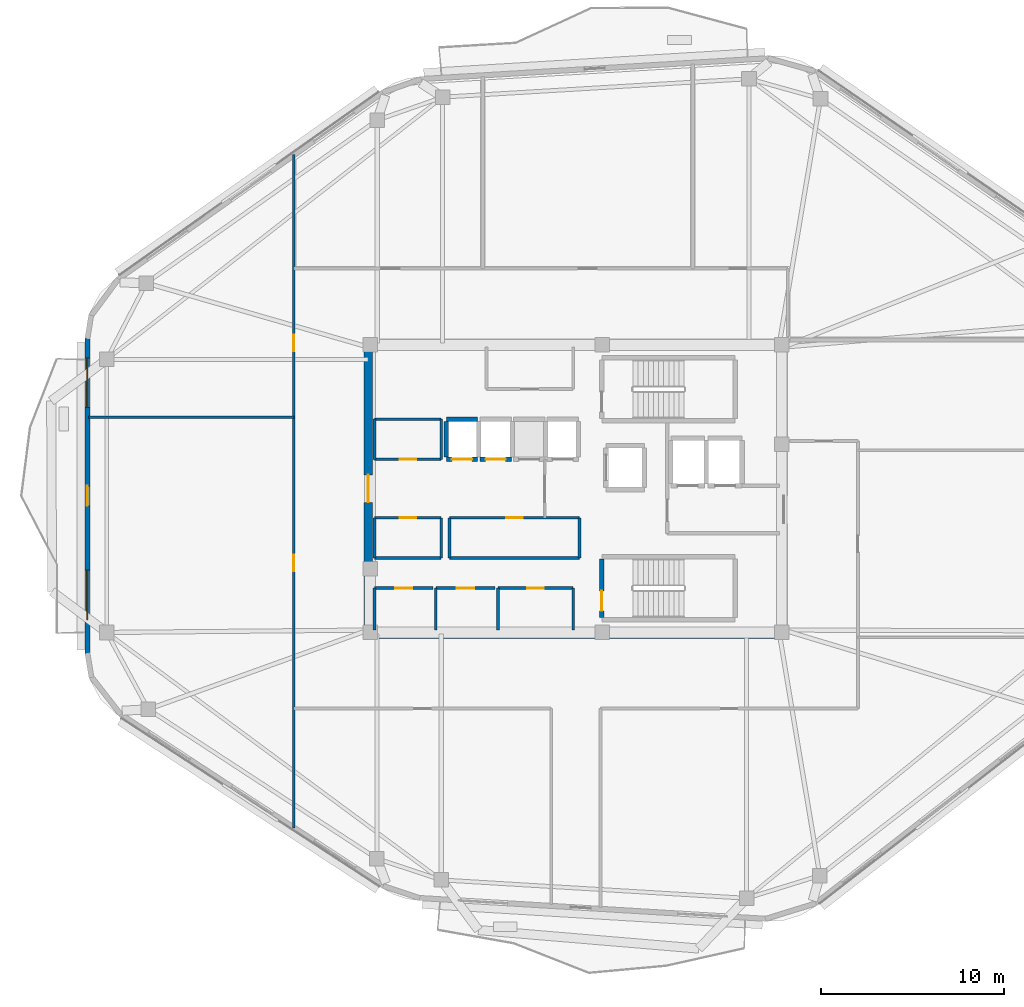
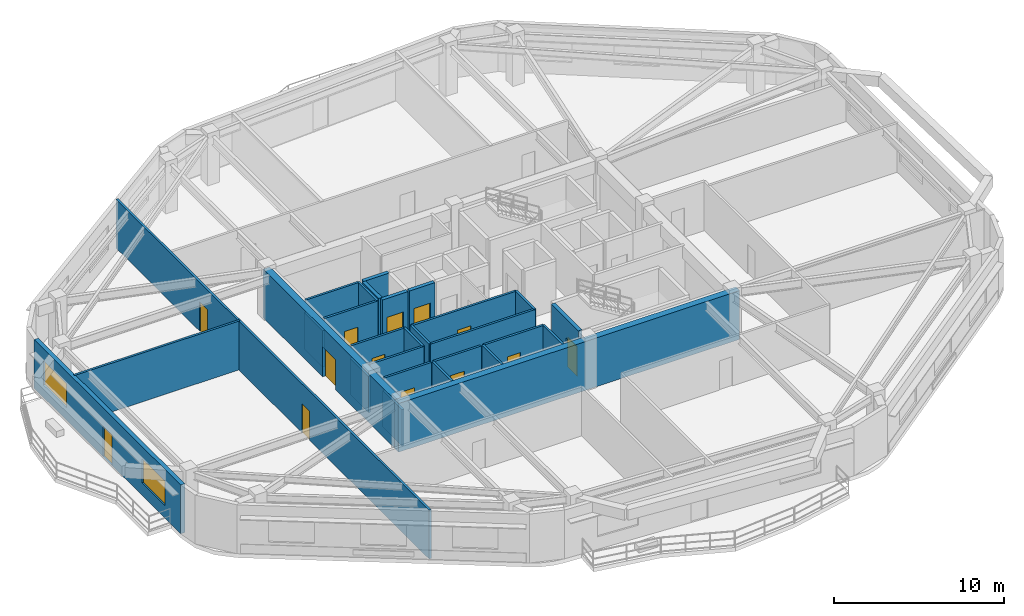
# One storey, part 3 of 10: 29 walls, 13 doors, 2 windows, 15 openings.
"""IFC4 building model written with IfcOpenShell, lengths in metres."""

from ifc_helpers import new_model, si_unit, direction, frame, frame_2d, origin, place, context, subcontext, project, spatial, rectangle, extrude, material, layer, layer_set, type_object, element, fill, save


model = new_model("IFC4")

# Units and contexts
model_context = context("Model", 3, precision=1e-05, world=origin(), true_north=direction((0.0, 1.0)))
body_context = subcontext(model_context, "Body", "Model", "MODEL_VIEW")
ifc_project = project(units=[si_unit("LENGTHUNIT", "METRE"), si_unit("AREAUNIT", "SQUARE_METRE"), si_unit("VOLUMEUNIT", "CUBIC_METRE"), si_unit("PLANEANGLEUNIT", "RADIAN"), si_unit("MASSUNIT", "GRAM", prefix="KILO")], contexts=[model_context])

# Site, building, storey
site_placement = place(None, origin())
site = spatial("IfcSite", under=ifc_project, at=site_placement, CompositionType="ELEMENT")
building_placement = place(site_placement, origin())
building = spatial("IfcBuilding", under=site, at=building_placement, Name="Zulverin Broadcast Headquarters", CompositionType="ELEMENT")
storey_placement = place(building_placement, frame((0.0, 0.0, 236.39990234375)))
storey = spatial("IfcBuildingStorey", under=building, at=storey_placement, Name="L60", CompositionType="ELEMENT", Elevation=236.39990234375)

# Wall
ifc_material_1 = material(Name="Concrete C50/60", Category="concrete")
ifc_layer_1 = layer(ifc_material_1, 0.449951171875, Name="Concrete C50/60", Category="concrete")
ifc_layer_set_1 = layer_set([ifc_layer_1], Name="Concrete C50/60")
wall_type_1 = type_object("IfcWallType", Name="WL-CORE-450", PredefinedType="SHEAR", material=ifc_layer_set_1)
wall_1_placement = place(storey_placement, frame((25.39990234375, 17.22509765625, 0.0), z_axis=(0.0, 0.0, 1.0), x_axis=(1.0, 0.0, 0.0)))
element("IfcWall", 1, at=wall_1_placement, inside=storey, type_object=wall_type_1, Name="L60 Core South Shear Wall", PredefinedType="SHEAR", context=body_context, shape_type="SweptSolid", body=[
    extrude(rectangle(XDim=23.2001953125, YDim=0.449951171875, at=frame_2d((11.60009765625, 0.0))), origin(), (0.0, 0.0, 1.0), 3.510009765625),
])

# Wall, opening, door
wall_2_placement = place(storey_placement, frame((25.625, 17.449951171875, 0.0), z_axis=(0.0, 0.0, 1.0), x_axis=(0.0, 1.0, 0.0)))
wall_2 = element("IfcWall", 2, at=wall_2_placement, inside=storey, type_object=wall_type_1, Name="L60 Core West Shear Wall", PredefinedType="SHEAR", context=body_context, shape_type="SweptSolid", body=[
    extrude(rectangle(XDim=15.5, YDim=0.449951171875, at=frame_2d((7.75, 0.0))), origin(), (0.0, 0.0, 1.0), 3.510009765625),
])
opening_1_placement = place(wall_2_placement, frame((7.0, 0.0, 0.0)))
opening_1 = element("IfcOpeningElement", 3, at=opening_1_placement, cuts=wall_2, Name="Opening D-L60-CW1", PredefinedType="OPENING", context=body_context, shape_type="SweptSolid", body=[
    extrude(rectangle(XDim=1.5, YDim=2.14990234375, at=frame_2d((0.75, 1.074951171875))), frame((0.0, 0.23486328125, 0.0), z_axis=(0.0, -1.0, 0.0), x_axis=(1.0, 0.0, 0.0)), (0.0, 0.0, 1.0), 0.469970703125),
])
ifc_material_2 = material(Name="Fire-rated glazed steel frame", Category="steel")
door_type_1 = type_object("IfcDoorType", Name="DR-COR-1500", OperationType="DOUBLE_DOOR_SINGLE_SWING", PredefinedType="DOOR", material=ifc_material_2)
door_1_placement = place(opening_1_placement, origin())
door_1 = element("IfcDoor", 4, at=door_1_placement, inside=storey, type_object=door_type_1, Name="L60 Central Lift Lobby West Portal Door", OperationType="DOUBLE_DOOR_SINGLE_SWING", OverallHeight=2.14990234375, OverallWidth=1.5, PredefinedType="DOOR", context=body_context, shape_type="SweptSolid", body=[
    extrude(rectangle(XDim=1.5, YDim=2.14990234375, at=frame_2d((0.75, 1.074951171875))), frame((0.0, 0.02490234375, 0.0), z_axis=(0.0, -1.0, 0.0), x_axis=(1.0, 0.0, 0.0)), (0.0, 0.0, 1.0), 0.050048828125),
])
fill(opening_1, door_1)

# Wall, openings, door, windows
ifc_material_3 = material(Name="Insulated pale-metal clad concrete spandrel C40/50", Category="concrete")
ifc_layer_2 = layer(ifc_material_3, 0.280029296875, Name="Insulated pale-metal clad concrete spandrel C40/50", Category="concrete")
ifc_layer_set_2 = layer_set([ifc_layer_2], Name="Insulated pale-metal clad concrete spandrel C40/50")
wall_type_2 = type_object("IfcWallType", Name="WL-EXT-280", PredefinedType="STANDARD", material=ifc_layer_set_2)
wall_3_placement = place(storey_placement, frame((10.239990234375, 33.42529296875, 0.0), z_axis=(0.0, 0.0, 1.0), x_axis=(0.0, -1.0, 0.0)))
wall_3 = element("IfcWall", 5, at=wall_3_placement, inside=storey, type_object=wall_type_2, Name="L60 Pale-Metal Clad Spandrel Wall 7", PredefinedType="STANDARD", context=body_context, shape_type="SweptSolid", body=[
    extrude(rectangle(XDim=17.256591796875, YDim=0.280029296875, at=frame_2d((8.62841796875, 0.0))), origin(), (0.0, 0.0, 1.0), 3.510009765625),
])
opening_2_placement = place(wall_3_placement, frame((8.078369140625, 0.0, 0.0)))
opening_2 = element("IfcOpeningElement", 6, at=opening_2_placement, cuts=wall_3, Name="Opening D-L60-TR7", PredefinedType="OPENING", context=body_context, shape_type="SweptSolid", body=[
    extrude(rectangle(XDim=1.10009765625, YDim=2.199951171875, at=frame_2d((0.550048828125, 1.10009765625))), frame((0.0, 0.14990234375, 0.0), z_axis=(0.0, -1.0, 0.0), x_axis=(1.0, 0.0, 0.0)), (0.0, 0.0, 1.0), 0.300048828125),
])
opening_3_placement = place(wall_3_placement, frame((1.079345703125, 0.0, 0.89990234375)))
opening_3 = element("IfcOpeningElement", 7, at=opening_3_placement, cuts=wall_3, Name="Opening W-L60-E71", PredefinedType="OPENING", context=body_context, shape_type="SweptSolid", body=[
    extrude(rectangle(XDim=2.699951171875, YDim=1.75, at=frame_2d((1.35009765625, 0.875))), frame((0.0, 0.14990234375, 0.0), z_axis=(0.0, -1.0, 0.0), x_axis=(1.0, 0.0, 0.0)), (0.0, 0.0, 1.0), 0.300048828125),
])
opening_4_placement = place(wall_3_placement, frame((12.697265625, 0.0, 0.89990234375)))
opening_4 = element("IfcOpeningElement", 8, at=opening_4_placement, cuts=wall_3, Name="Opening W-L60-E72", PredefinedType="OPENING", context=body_context, shape_type="SweptSolid", body=[
    extrude(rectangle(XDim=2.699951171875, YDim=1.75, at=frame_2d((1.35009765625, 0.875))), frame((0.0, 0.14990234375, 0.0), z_axis=(0.0, -1.0, 0.0), x_axis=(1.0, 0.0, 0.0)), (0.0, 0.0, 1.0), 0.300048828125),
])
ifc_material_4 = material(Name="Thermally broken aluminium glazed", Category="aluminium")
door_type_2 = type_object("IfcDoorType", Name="DR-TERR-1100", OperationType="SINGLE_SWING_RIGHT", PredefinedType="DOOR", material=ifc_material_4)
door_2_placement = place(opening_2_placement, origin())
door_2 = element("IfcDoor", 9, at=door_2_placement, inside=storey, type_object=door_type_2, Name="L60 Planted Terrace Glazed Access Door 7", OperationType="SINGLE_SWING_RIGHT", OverallHeight=2.199951171875, OverallWidth=1.10009765625, PredefinedType="DOOR", context=body_context, shape_type="SweptSolid", body=[
    extrude(rectangle(XDim=1.10009765625, YDim=2.199951171875, at=frame_2d((0.550048828125, 1.10009765625))), frame((0.0, 0.02490234375, 0.0), z_axis=(0.0, -1.0, 0.0), x_axis=(1.0, 0.0, 0.0)), (0.0, 0.0, 1.0), 0.050048828125),
])
fill(opening_2, door_2)
ifc_material_5 = material(Name="Pale anodized aluminium frame with solar-control low-E double glazing", Category="aluminium")
window_type = type_object("IfcWindowType", Name="WIN-TWR-2700", PartitioningType="SINGLE_PANEL", PredefinedType="WINDOW", material=ifc_material_5)
window_1_placement = place(opening_3_placement, origin())
window_1 = element("IfcWindow", 10, at=window_1_placement, inside=storey, type_object=window_type, Name="L60 Ribbon Glazing Window 7 1", OverallHeight=1.75, OverallWidth=2.699951171875, PartitioningType="SINGLE_PANEL", PredefinedType="WINDOW", context=body_context, shape_type="SweptSolid", body=[
    extrude(rectangle(XDim=2.699951171875, YDim=1.75, at=frame_2d((1.35009765625, 0.875))), frame((0.0, 0.030029296875, 0.0), z_axis=(0.0, -1.0, 0.0), x_axis=(1.0, 0.0, 0.0)), (0.0, 0.0, 1.0), 0.06005859375),
])
fill(opening_3, window_1)
window_2_placement = place(opening_4_placement, origin())
window_2 = element("IfcWindow", 11, at=window_2_placement, inside=storey, type_object=window_type, Name="L60 Ribbon Glazing Window 7 2", OverallHeight=1.75, OverallWidth=2.699951171875, PartitioningType="SINGLE_PANEL", PredefinedType="WINDOW", context=body_context, shape_type="SweptSolid", body=[
    extrude(rectangle(XDim=2.699951171875, YDim=1.75, at=frame_2d((1.35009765625, 0.875))), frame((0.0, 0.030029296875, 0.0), z_axis=(0.0, -1.0, 0.0), x_axis=(1.0, 0.0, 0.0)), (0.0, 0.0, 1.0), 0.06005859375),
])
fill(opening_4, window_2)

# Wall, opening, door
ifc_material_6 = material(Name="Fire-rated gypsum stud partition", Category="gypsum")
ifc_layer_3 = layer(ifc_material_6, 0.14990234375, Name="Fire-rated gypsum stud partition", Category="gypsum")
ifc_layer_set_3 = layer_set([ifc_layer_3], Name="Fire-rated gypsum stud partition")
wall_type_3 = type_object("IfcWallType", Name="WL-PART-150", PredefinedType="PARTITIONING", material=ifc_layer_set_3)
wall_4_placement = place(storey_placement, frame((25.969970703125, 19.75, 0.0), z_axis=(0.0, 0.0, 1.0), x_axis=(1.0, 0.0, 0.0)))
wall_4 = element("IfcWall", 12, at=wall_4_placement, inside=storey, type_object=wall_type_3, Name="L60 Core Male WC Front Wall", PredefinedType="PARTITIONING", context=body_context, shape_type="SweptSolid", body=[
    extrude(rectangle(XDim=3.199951171875, YDim=0.14990234375, at=frame_2d((1.60009765625, 0.0))), origin(), (0.0, 0.0, 1.0), 3.510009765625),
])
opening_5_placement = place(wall_4_placement, frame((1.125, 0.0, 0.0)))
opening_5 = element("IfcOpeningElement", 13, at=opening_5_placement, cuts=wall_4, Name="Opening D-L60-SC1", PredefinedType="OPENING", context=body_context, shape_type="SweptSolid", body=[
    extrude(rectangle(XDim=0.949951171875, YDim=2.10009765625, at=frame_2d((0.47509765625, 1.050048828125))), frame((0.0, 0.0849609375, 0.0), z_axis=(0.0, -1.0, 0.0), x_axis=(1.0, 0.0, 0.0)), (0.0, 0.0, 1.0), 0.169921875),
])
ifc_material_7 = material(Name="Fire-rated moisture-resistant laminate leaf", Category="wood")
door_type_3 = type_object("IfcDoorType", Name="DR-WC-950", OperationType="SINGLE_SWING_LEFT", PredefinedType="DOOR", material=ifc_material_7)
door_3_placement = place(opening_5_placement, origin())
door_3 = element("IfcDoor", 14, at=door_3_placement, inside=storey, type_object=door_type_3, Name="L60 Male WC Door", OperationType="SINGLE_SWING_RIGHT", OverallHeight=2.10009765625, OverallWidth=0.949951171875, PredefinedType="DOOR", context=body_context, shape_type="SweptSolid", body=[
    extrude(rectangle(XDim=0.949951171875, YDim=2.10009765625, at=frame_2d((0.47509765625, 1.050048828125))), frame((0.0, 0.02490234375, 0.0), z_axis=(0.0, -1.0, 0.0), x_axis=(1.0, 0.0, 0.0)), (0.0, 0.0, 1.0), 0.050048828125),
])
fill(opening_5, door_3)

# Wall
wall_5_placement = place(storey_placement, frame((25.969970703125, 17.449951171875, 0.0), z_axis=(0.0, 0.0, 1.0), x_axis=(0.0, 1.0, 0.0)))
element("IfcWall", 15, at=wall_5_placement, inside=storey, type_object=wall_type_3, Name="L60 Core Male WC West Wall", PredefinedType="PARTITIONING", context=body_context, shape_type="SweptSolid", body=[
    extrude(rectangle(XDim=2.300048828125, YDim=0.14990234375, at=frame_2d((1.14990234375, 0.0))), origin(), (0.0, 0.0, 1.0), 2.610107421875),
])

# Wall, opening, door
wall_6_placement = place(storey_placement, frame((29.330078125, 19.75, 0.0), z_axis=(0.0, 0.0, 1.0), x_axis=(1.0, 0.0, 0.0)))
wall_6 = element("IfcWall", 16, at=wall_6_placement, inside=storey, type_object=wall_type_3, Name="L60 Core Female WC Front Wall", PredefinedType="PARTITIONING", context=body_context, shape_type="SweptSolid", body=[
    extrude(rectangle(XDim=3.239990234375, YDim=0.14990234375, at=frame_2d((1.6201171875, 0.0))), origin(), (0.0, 0.0, 1.0), 3.510009765625),
])
opening_6_placement = place(wall_6_placement, frame((1.14501953125, 0.0, 0.0)))
opening_6 = element("IfcOpeningElement", 17, at=opening_6_placement, cuts=wall_6, Name="Opening D-L60-SC2", PredefinedType="OPENING", context=body_context, shape_type="SweptSolid", body=[
    extrude(rectangle(XDim=0.949951171875, YDim=2.10009765625, at=frame_2d((0.47509765625, 1.050048828125))), frame((0.0, 0.0849609375, 0.0), z_axis=(0.0, -1.0, 0.0), x_axis=(1.0, 0.0, 0.0)), (0.0, 0.0, 1.0), 0.169921875),
])
door_4_placement = place(opening_6_placement, origin())
door_4 = element("IfcDoor", 18, at=door_4_placement, inside=storey, type_object=door_type_3, Name="L60 Female WC Door", OperationType="SINGLE_SWING_LEFT", OverallHeight=2.10009765625, OverallWidth=0.949951171875, PredefinedType="DOOR", context=body_context, shape_type="SweptSolid", body=[
    extrude(rectangle(XDim=0.949951171875, YDim=2.10009765625, at=frame_2d((0.47509765625, 1.050048828125))), frame((0.0, 0.02490234375, 0.0), z_axis=(0.0, -1.0, 0.0), x_axis=(1.0, 0.0, 0.0)), (0.0, 0.0, 1.0), 0.050048828125),
])
fill(opening_6, door_4)

# Wall
wall_7_placement = place(storey_placement, frame((29.330078125, 17.449951171875, 0.0), z_axis=(0.0, 0.0, 1.0), x_axis=(0.0, 1.0, 0.0)))
element("IfcWall", 19, at=wall_7_placement, inside=storey, type_object=wall_type_3, Name="L60 Core Female WC West Wall", PredefinedType="PARTITIONING", context=body_context, shape_type="SweptSolid", body=[
    extrude(rectangle(XDim=2.300048828125, YDim=0.14990234375, at=frame_2d((1.14990234375, 0.0))), origin(), (0.0, 0.0, 1.0), 3.510009765625),
])

# Wall, opening, door
wall_8_placement = place(storey_placement, frame((32.72998046875, 19.75, 0.0), z_axis=(0.0, 0.0, 1.0), x_axis=(1.0, 0.0, 0.0)))
wall_8 = element("IfcWall", 20, at=wall_8_placement, inside=storey, type_object=wall_type_3, Name="L60 Core Cleaner Store Front Wall", PredefinedType="PARTITIONING", context=body_context, shape_type="SweptSolid", body=[
    extrude(rectangle(XDim=4.1201171875, YDim=0.14990234375, at=frame_2d((2.06005859375, 0.0))), origin(), (0.0, 0.0, 1.0), 3.510009765625),
])
opening_7_placement = place(wall_8_placement, frame((1.610107421875, 0.0, 0.0)))
opening_7 = element("IfcOpeningElement", 21, at=opening_7_placement, cuts=wall_8, Name="Opening D-L60-SC3", PredefinedType="OPENING", context=body_context, shape_type="SweptSolid", body=[
    extrude(rectangle(XDim=0.89990234375, YDim=2.10009765625, at=frame_2d((0.449951171875, 1.050048828125))), frame((0.0, 0.0849609375, 0.0), z_axis=(0.0, -1.0, 0.0), x_axis=(1.0, 0.0, 0.0)), (0.0, 0.0, 1.0), 0.169921875),
])
ifc_material_8 = material(Name="Powder-coated steel access leaf", Category="steel")
door_type_4 = type_object("IfcDoorType", Name="DR-RISER-900", OperationType="SINGLE_SWING_LEFT", PredefinedType="DOOR", material=ifc_material_8)
door_5_placement = place(opening_7_placement, origin())
door_5 = element("IfcDoor", 22, at=door_5_placement, inside=storey, type_object=door_type_4, Name="L60 Cleaner Store Door", OperationType="SINGLE_SWING_RIGHT", OverallHeight=2.10009765625, OverallWidth=0.89990234375, PredefinedType="DOOR", context=body_context, shape_type="SweptSolid", body=[
    extrude(rectangle(XDim=0.89990234375, YDim=2.10009765625, at=frame_2d((0.449951171875, 1.050048828125))), frame((0.0, 0.02490234375, 0.0), z_axis=(0.0, -1.0, 0.0), x_axis=(1.0, 0.0, 0.0)), (0.0, 0.0, 1.0), 0.050048828125),
])
fill(opening_7, door_5)

# Walls
for number, where, z_axis, x_axis, name in (
    (23, (32.72998046875, 17.449951171875, 0.0), (0.0, 0.0, 1.0), (0.0, 1.0, 0.0), "L60 Core Cleaner Store West Wall"),
    (24, (36.85009765625, 17.449951171875, 0.0), (0.0, 0.0, 1.0), (0.0, 1.0, 0.0), "L60 Core Cleaner Store East Wall"),
):
    element("IfcWall", number, at=place(storey_placement, frame(where, z_axis=z_axis, x_axis=x_axis)), inside=storey, type_object=wall_type_3, Name=name, PredefinedType="PARTITIONING", context=body_context, shape_type="SweptSolid", body=[
        extrude(rectangle(XDim=2.300048828125, YDim=0.14990234375, at=frame_2d((1.14990234375, 0.0))), origin(), (0.0, 0.0, 1.0), 3.510009765625),
    ])

# Wall, opening, door
wall_9_placement = place(storey_placement, frame((25.969970703125, 26.800048828125, 0.0), z_axis=(0.0, 0.0, 1.0), x_axis=(1.0, 0.0, 0.0)))
wall_9 = element("IfcWall", 25, at=wall_9_placement, inside=storey, type_object=wall_type_3, Name="L60 Broadcast Signal Patch Room S Wall", PredefinedType="PARTITIONING", context=body_context, shape_type="SweptSolid", body=[
    extrude(rectangle(XDim=3.650146484375, YDim=0.14990234375, at=frame_2d((1.8251953125, 0.0))), origin(), (0.0, 0.0, 1.0), 3.510009765625),
])
opening_8_placement = place(wall_9_placement, frame((1.375, 0.0, 0.0)))
opening_8 = element("IfcOpeningElement", 26, at=opening_8_placement, cuts=wall_9, Name="Opening D-L60-RCLN", PredefinedType="OPENING", context=body_context, shape_type="SweptSolid", body=[
    extrude(rectangle(XDim=0.89990234375, YDim=2.10009765625, at=frame_2d((0.449951171875, 1.050048828125))), frame((0.0, 0.0849609375, 0.0), z_axis=(0.0, -1.0, 0.0), x_axis=(1.0, 0.0, 0.0)), (0.0, 0.0, 1.0), 0.169921875),
])
door_6_placement = place(opening_8_placement, origin())
door_6 = element("IfcDoor", 27, at=door_6_placement, inside=storey, type_object=door_type_4, Name="L60 Broadcast Signal Patch Room Door", OperationType="SINGLE_SWING_LEFT", OverallHeight=2.10009765625, OverallWidth=0.89990234375, PredefinedType="DOOR", context=body_context, shape_type="SweptSolid", body=[
    extrude(rectangle(XDim=0.89990234375, YDim=2.10009765625, at=frame_2d((0.449951171875, 1.050048828125))), frame((0.0, 0.02490234375, 0.0), z_axis=(0.0, -1.0, 0.0), x_axis=(1.0, 0.0, 0.0)), (0.0, 0.0, 1.0), 0.050048828125),
])
fill(opening_8, door_6)

# Walls
wall_10_placement = place(storey_placement, frame((25.969970703125, 29.0, 0.0), z_axis=(0.0, 0.0, 1.0), x_axis=(1.0, 0.0, 0.0)))
element("IfcWall", 28, at=wall_10_placement, inside=storey, type_object=wall_type_3, Name="L60 Broadcast Signal Patch Room N Wall", PredefinedType="PARTITIONING", context=body_context, shape_type="SweptSolid", body=[
    extrude(rectangle(XDim=3.650146484375, YDim=0.14990234375, at=frame_2d((1.8251953125, 0.0))), origin(), (0.0, 0.0, 1.0), 3.510009765625),
])
wall_11_placement = place(storey_placement, frame((25.969970703125, 26.800048828125, 0.0), z_axis=(0.0, 0.0, 1.0), x_axis=(0.0, 1.0, 0.0)))
element("IfcWall", 29, at=wall_11_placement, inside=storey, type_object=wall_type_3, Name="L60 Broadcast Signal Patch Room W Wall", PredefinedType="PARTITIONING", context=body_context, shape_type="SweptSolid", body=[
    extrude(rectangle(XDim=2.199951171875, YDim=0.14990234375, at=frame_2d((1.10009765625, 0.0))), origin(), (0.0, 0.0, 1.0), 2.610107421875),
])
wall_12_placement = place(storey_placement, frame((29.6201171875, 26.800048828125, 0.0), z_axis=(0.0, 0.0, 1.0), x_axis=(0.0, 1.0, 0.0)))
element("IfcWall", 30, at=wall_12_placement, inside=storey, type_object=wall_type_3, Name="L60 Broadcast Signal Patch Room E Wall", PredefinedType="PARTITIONING", context=body_context, shape_type="SweptSolid", body=[
    extrude(rectangle(XDim=2.199951171875, YDim=0.14990234375, at=frame_2d((1.10009765625, 0.0))), origin(), (0.0, 0.0, 1.0), 3.510009765625),
])
wall_13_placement = place(storey_placement, frame((25.969970703125, 21.39990234375, 0.0), z_axis=(0.0, 0.0, 1.0), x_axis=(1.0, 0.0, 0.0)))
element("IfcWall", 31, at=wall_13_placement, inside=storey, type_object=wall_type_3, Name="L60 Housekeeping Equipment Store S Wall", PredefinedType="PARTITIONING", context=body_context, shape_type="SweptSolid", body=[
    extrude(rectangle(XDim=3.650146484375, YDim=0.14990234375, at=frame_2d((1.8251953125, 0.0))), origin(), (0.0, 0.0, 1.0), 3.510009765625),
])

# Wall, opening, door
wall_14_placement = place(storey_placement, frame((25.969970703125, 23.60009765625, 0.0), z_axis=(0.0, 0.0, 1.0), x_axis=(1.0, 0.0, 0.0)))
wall_14 = element("IfcWall", 32, at=wall_14_placement, inside=storey, type_object=wall_type_3, Name="L60 Housekeeping Equipment Store N Wall", PredefinedType="PARTITIONING", context=body_context, shape_type="SweptSolid", body=[
    extrude(rectangle(XDim=3.650146484375, YDim=0.14990234375, at=frame_2d((1.8251953125, 0.0))), origin(), (0.0, 0.0, 1.0), 3.510009765625),
])
opening_9_placement = place(wall_14_placement, frame((1.375, 0.0, 0.0)))
opening_9 = element("IfcOpeningElement", 33, at=opening_9_placement, cuts=wall_14, Name="Opening D-L60-RCLS", PredefinedType="OPENING", context=body_context, shape_type="SweptSolid", body=[
    extrude(rectangle(XDim=0.89990234375, YDim=2.10009765625, at=frame_2d((0.449951171875, 1.050048828125))), frame((0.0, 0.0849609375, 0.0), z_axis=(0.0, -1.0, 0.0), x_axis=(1.0, 0.0, 0.0)), (0.0, 0.0, 1.0), 0.169921875),
])
door_7_placement = place(opening_9_placement, origin())
door_7 = element("IfcDoor", 34, at=door_7_placement, inside=storey, type_object=door_type_4, Name="L60 Housekeeping Equipment Store Door", OperationType="SINGLE_SWING_RIGHT", OverallHeight=2.10009765625, OverallWidth=0.89990234375, PredefinedType="DOOR", context=body_context, shape_type="SweptSolid", body=[
    extrude(rectangle(XDim=0.89990234375, YDim=2.10009765625, at=frame_2d((0.449951171875, 1.050048828125))), frame((0.0, 0.02490234375, 0.0), z_axis=(0.0, -1.0, 0.0), x_axis=(1.0, 0.0, 0.0)), (0.0, 0.0, 1.0), 0.050048828125),
])
fill(opening_9, door_7)

# Walls
wall_15_placement = place(storey_placement, frame((25.969970703125, 21.39990234375, 0.0), z_axis=(0.0, 0.0, 1.0), x_axis=(0.0, 1.0, 0.0)))
element("IfcWall", 35, at=wall_15_placement, inside=storey, type_object=wall_type_3, Name="L60 Housekeeping Equipment Store W Wall", PredefinedType="PARTITIONING", context=body_context, shape_type="SweptSolid", body=[
    extrude(rectangle(XDim=2.2001953125, YDim=0.14990234375, at=frame_2d((1.10009765625, 0.0))), origin(), (0.0, 0.0, 1.0), 2.610107421875),
])
wall_16_placement = place(storey_placement, frame((29.6201171875, 21.39990234375, 0.0), z_axis=(0.0, 0.0, 1.0), x_axis=(0.0, 1.0, 0.0)))
element("IfcWall", 36, at=wall_16_placement, inside=storey, type_object=wall_type_3, Name="L60 Housekeeping Equipment Store E Wall", PredefinedType="PARTITIONING", context=body_context, shape_type="SweptSolid", body=[
    extrude(rectangle(XDim=2.2001953125, YDim=0.14990234375, at=frame_2d((1.10009765625, 0.0))), origin(), (0.0, 0.0, 1.0), 3.510009765625),
])
wall_17_placement = place(storey_placement, frame((30.080078125, 21.39990234375, 0.0), z_axis=(0.0, 0.0, 1.0), x_axis=(1.0, 0.0, 0.0)))
element("IfcWall", 37, at=wall_17_placement, inside=storey, type_object=wall_type_3, Name="L60 Optical Telemetry Hub Room S Wall", PredefinedType="PARTITIONING", context=body_context, shape_type="SweptSolid", body=[
    extrude(rectangle(XDim=7.119873046875, YDim=0.14990234375, at=frame_2d((3.56005859375, 0.0))), origin(), (0.0, 0.0, 1.0), 3.510009765625),
])

# Wall, opening, door
wall_18_placement = place(storey_placement, frame((30.080078125, 23.60009765625, 0.0), z_axis=(0.0, 0.0, 1.0), x_axis=(1.0, 0.0, 0.0)))
wall_18 = element("IfcWall", 38, at=wall_18_placement, inside=storey, type_object=wall_type_3, Name="L60 Optical Telemetry Hub Room N Wall", PredefinedType="PARTITIONING", context=body_context, shape_type="SweptSolid", body=[
    extrude(rectangle(XDim=7.119873046875, YDim=0.14990234375, at=frame_2d((3.56005859375, 0.0))), origin(), (0.0, 0.0, 1.0), 3.510009765625),
])
opening_10_placement = place(wall_18_placement, frame((3.110107421875, 0.0, 0.0)))
opening_10 = element("IfcOpeningElement", 39, at=opening_10_placement, cuts=wall_18, Name="Opening D-L60-RM1", PredefinedType="OPENING", context=body_context, shape_type="SweptSolid", body=[
    extrude(rectangle(XDim=0.89990234375, YDim=2.10009765625, at=frame_2d((0.449951171875, 1.050048828125))), frame((0.0, 0.0849609375, 0.0), z_axis=(0.0, -1.0, 0.0), x_axis=(1.0, 0.0, 0.0)), (0.0, 0.0, 1.0), 0.169921875),
])
door_8_placement = place(opening_10_placement, origin())
door_8 = element("IfcDoor", 40, at=door_8_placement, inside=storey, type_object=door_type_4, Name="L60 Optical Telemetry Hub Room Door", OperationType="SINGLE_SWING_LEFT", OverallHeight=2.10009765625, OverallWidth=0.89990234375, PredefinedType="DOOR", context=body_context, shape_type="SweptSolid", body=[
    extrude(rectangle(XDim=0.89990234375, YDim=2.10009765625, at=frame_2d((0.449951171875, 1.050048828125))), frame((0.0, 0.02490234375, 0.0), z_axis=(0.0, -1.0, 0.0), x_axis=(1.0, 0.0, 0.0)), (0.0, 0.0, 1.0), 0.050048828125),
])
fill(opening_10, door_8)

# Walls
for number, where, z_axis, x_axis, name in (
    (41, (30.080078125, 21.39990234375, 0.0), (0.0, 0.0, 1.0), (0.0, 1.0, 0.0), "L60 Optical Telemetry Hub Room W Wall"),
    (42, (37.199951171875, 21.39990234375, 0.0), (0.0, 0.0, 1.0), (0.0, 1.0, 0.0), "L60 Optical Telemetry Hub Room E Wall"),
):
    element("IfcWall", number, at=place(storey_placement, frame(where, z_axis=z_axis, x_axis=x_axis)), inside=storey, type_object=wall_type_3, Name=name, PredefinedType="PARTITIONING", context=body_context, shape_type="SweptSolid", body=[
        extrude(rectangle(XDim=2.2001953125, YDim=0.14990234375, at=frame_2d((1.10009765625, 0.0))), origin(), (0.0, 0.0, 1.0), 3.510009765625),
    ])

# Wall, openings, doors
wall_19_placement = place(storey_placement, frame((21.550048828125, 6.60791015625, 0.0), z_axis=(0.0, 0.0, 1.0), x_axis=(0.0, 1.0, 0.0)))
wall_19 = element("IfcWall", 43, at=wall_19_placement, inside=storey, type_object=wall_type_3, Name="L60 Gallery Partition Wall CG-07", PredefinedType="PARTITIONING", context=body_context, shape_type="SweptSolid", body=[
    extrude(rectangle(XDim=36.8828125, YDim=0.14990234375, at=frame_2d((18.44140625, 0.0))), origin(), (0.0, 0.0, 1.0), 3.510009765625),
])
opening_11_placement = place(wall_19_placement, frame((14.067138671875, 0.0, 0.0)))
opening_11 = element("IfcOpeningElement", 44, at=opening_11_placement, cuts=wall_19, Name="Opening D-L60-06", PredefinedType="OPENING", context=body_context, shape_type="SweptSolid", body=[
    extrude(rectangle(XDim=0.89990234375, YDim=2.10009765625, at=frame_2d((0.449951171875, 1.050048828125))), frame((0.0, 0.0849609375, 0.0), z_axis=(0.0, -1.0, 0.0), x_axis=(1.0, 0.0, 0.0)), (0.0, 0.0, 1.0), 0.169921875),
])
opening_12_placement = place(wall_19_placement, frame((26.1171875, 0.0, 0.0)))
opening_12 = element("IfcOpeningElement", 45, at=opening_12_placement, cuts=wall_19, Name="Opening D-L60-07", PredefinedType="OPENING", context=body_context, shape_type="SweptSolid", body=[
    extrude(rectangle(XDim=0.89990234375, YDim=2.10009765625, at=frame_2d((0.449951171875, 1.050048828125))), frame((0.0, 0.0849609375, 0.0), z_axis=(0.0, -1.0, 0.0), x_axis=(1.0, 0.0, 0.0)), (0.0, 0.0, 1.0), 0.169921875),
])
ifc_material_9 = material(Name="Fire-rated hardwood veneer timber leaf", Category="wood")
door_type_5 = type_object("IfcDoorType", Name="DR-ROOM-900", OperationType="SINGLE_SWING_RIGHT", PredefinedType="DOOR", material=ifc_material_9)
door_9_placement = place(opening_11_placement, origin())
door_9 = element("IfcDoor", 46, at=door_9_placement, inside=storey, type_object=door_type_5, Name="L60 Boardroom Door", OperationType="SINGLE_SWING_RIGHT", OverallHeight=2.10009765625, OverallWidth=0.89990234375, PredefinedType="DOOR", context=body_context, shape_type="SweptSolid", body=[
    extrude(rectangle(XDim=0.89990234375, YDim=2.10009765625, at=frame_2d((0.449951171875, 1.050048828125))), frame((0.0, 0.02490234375, 0.0), z_axis=(0.0, -1.0, 0.0), x_axis=(1.0, 0.0, 0.0)), (0.0, 0.0, 1.0), 0.050048828125),
])
fill(opening_11, door_9)
door_10_placement = place(opening_12_placement, origin())
door_10 = element("IfcDoor", 47, at=door_10_placement, inside=storey, type_object=door_type_5, Name="L60 Briefing Room Door", OperationType="SINGLE_SWING_LEFT", OverallHeight=2.10009765625, OverallWidth=0.89990234375, PredefinedType="DOOR", context=body_context, shape_type="SweptSolid", body=[
    extrude(rectangle(XDim=0.89990234375, YDim=2.10009765625, at=frame_2d((0.449951171875, 1.050048828125))), frame((0.0, 0.02490234375, 0.0), z_axis=(0.0, -1.0, 0.0), x_axis=(1.0, 0.0, 0.0)), (0.0, 0.0, 1.0), 0.050048828125),
])
fill(opening_12, door_10)

# Wall
wall_20_placement = place(storey_placement, frame((10.304931640625, 29.10009765625, 0.0), z_axis=(0.0, 0.0, 1.0), x_axis=(1.0, 0.0, 0.0)))
element("IfcWall", 48, at=wall_20_placement, inside=storey, type_object=wall_type_3, Name="L60 Room Partition Wall RP-13", PredefinedType="PARTITIONING", context=body_context, shape_type="SweptSolid", body=[
    extrude(rectangle(XDim=11.2451171875, YDim=0.14990234375, at=frame_2d((5.62255859375, 0.0))), origin(), (0.0, 0.0, 1.0), 3.510009765625),
])

# Wall, opening, door
ifc_layer_4 = layer(ifc_material_1, 0.25, Name="Concrete C50/60", Category="concrete")
ifc_layer_set_4 = layer_set([ifc_layer_4], Name="Concrete C50/60")
wall_type_4 = type_object("IfcWallType", Name="WL-SHAFT-250", PredefinedType="SHEAR", material=ifc_layer_set_4)
wall_21_placement = place(storey_placement, frame((38.425048828125, 18.14990234375, 0.0), z_axis=(0.0, 0.0, 1.0), x_axis=(0.0, 1.0, 0.0)))
wall_21 = element("IfcWall", 49, at=wall_21_placement, inside=storey, type_object=wall_type_4, Name="L60 ST-2 Enclosure Wall W", PredefinedType="SHEAR", context=body_context, shape_type="SweptSolid", body=[
    extrude(rectangle(XDim=3.2001953125, YDim=0.25, at=frame_2d((1.60009765625, 0.0))), origin(), (0.0, 0.0, 1.0), 3.510009765625),
])
opening_13_placement = place(wall_21_placement, frame((0.35009765625, 0.0, 0.0)))
opening_13 = element("IfcOpeningElement", 50, at=opening_13_placement, cuts=wall_21, Name="Opening D-L60-ST-2", PredefinedType="OPENING", context=body_context, shape_type="SweptSolid", body=[
    extrude(rectangle(XDim=1.10009765625, YDim=2.14990234375, at=frame_2d((0.550048828125, 1.074951171875))), frame((0.0, 0.135009765625, 0.0), z_axis=(0.0, -1.0, 0.0), x_axis=(1.0, 0.0, 0.0)), (0.0, 0.0, 1.0), 0.27001953125),
])
ifc_material_10 = material(Name="Fire-rated steel leaf and frame", Category="steel")
door_type_6 = type_object("IfcDoorType", Name="DR-STAIR-1100", OperationType="SINGLE_SWING_LEFT", PredefinedType="DOOR", material=ifc_material_10)
door_11_placement = place(opening_13_placement, origin())
door_11 = element("IfcDoor", 51, at=door_11_placement, inside=storey, type_object=door_type_6, Name="L60 Exit Stair ST-2 Fire Door", OperationType="SINGLE_SWING_RIGHT", OverallHeight=2.14990234375, OverallWidth=1.10009765625, PredefinedType="DOOR", context=body_context, shape_type="SweptSolid", body=[
    extrude(rectangle(XDim=1.10009765625, YDim=2.14990234375, at=frame_2d((0.550048828125, 1.074951171875))), frame((0.0, 0.02490234375, 0.0), z_axis=(0.0, -1.0, 0.0), x_axis=(1.0, 0.0, 0.0)), (0.0, 0.0, 1.0), 0.050048828125),
])
fill(opening_13, door_11)

wall_22_placement = place(storey_placement, frame((29.89990234375, 26.800048828125, 0.0), z_axis=(0.0, 0.0, 1.0), x_axis=(1.0, 0.0, 0.0)))
wall_22 = element("IfcWall", 52, at=wall_22_placement, inside=storey, type_object=wall_type_4, Name="L60 Lift PL-H1 Shaft Wall S", PredefinedType="SHEAR", context=body_context, shape_type="SweptSolid", body=[
    extrude(rectangle(XDim=1.72021484375, YDim=0.25, at=frame_2d((0.860107421875, 0.0))), origin(), (0.0, 0.0, 1.0), 3.510009765625),
])
opening_14_placement = place(wall_22_placement, frame((0.31005859375, 0.0, 0.0)))
opening_14 = element("IfcOpeningElement", 53, at=opening_14_placement, cuts=wall_22, Name="Opening LD-PL-H1-L60", PredefinedType="OPENING", context=body_context, shape_type="SweptSolid", body=[
    extrude(rectangle(XDim=1.10009765625, YDim=2.14990234375, at=frame_2d((0.550048828125, 1.074951171875))), frame((0.0, 0.135009765625, 0.0), z_axis=(0.0, -1.0, 0.0), x_axis=(1.0, 0.0, 0.0)), (0.0, 0.0, 1.0), 0.27001953125),
])
ifc_material_11 = material(Name="Brushed stainless steel landing", Category="steel")
door_type_7 = type_object("IfcDoorType", Name="LD-PASS-1100", OperationType="DOUBLE_DOOR_SLIDING", PredefinedType="DOOR", material=ifc_material_11)
door_12_placement = place(opening_14_placement, origin())
door_12 = element("IfcDoor", 54, at=door_12_placement, inside=storey, type_object=door_type_7, Name="L60 Lift PL-H1 Sliding Landing Door", OperationType="DOUBLE_DOOR_SLIDING", OverallHeight=2.14990234375, OverallWidth=1.10009765625, PredefinedType="DOOR", context=body_context, shape_type="SweptSolid", body=[
    extrude(rectangle(XDim=1.10009765625, YDim=2.14990234375, at=frame_2d((0.550048828125, 1.074951171875))), frame((0.0, 0.02490234375, 0.0), z_axis=(0.0, -1.0, 0.0), x_axis=(1.0, 0.0, 0.0)), (0.0, 0.0, 1.0), 0.050048828125),
])
fill(opening_14, door_12)

# Walls
wall_23_placement = place(storey_placement, frame((29.89990234375, 29.0, 0.0), z_axis=(0.0, 0.0, 1.0), x_axis=(1.0, 0.0, 0.0)))
element("IfcWall", 55, at=wall_23_placement, inside=storey, type_object=wall_type_4, Name="L60 Lift PL-H1 Shaft Wall N", PredefinedType="SHEAR", context=body_context, shape_type="SweptSolid", body=[
    extrude(rectangle(XDim=1.72021484375, YDim=0.25, at=frame_2d((0.860107421875, 0.0))), origin(), (0.0, 0.0, 1.0), 3.510009765625),
])
wall_24_placement = place(storey_placement, frame((29.89990234375, 26.919921875, 0.0), z_axis=(0.0, 0.0, 1.0), x_axis=(0.0, 1.0, 0.0)))
element("IfcWall", 56, at=wall_24_placement, inside=storey, type_object=wall_type_4, Name="L60 Lift PL-H1 Shaft Wall W", PredefinedType="SHEAR", context=body_context, shape_type="SweptSolid", body=[
    extrude(rectangle(XDim=1.9599609375, YDim=0.25, at=frame_2d((0.97998046875, 0.0))), origin(), (0.0, 0.0, 1.0), 3.510009765625),
])

# Wall, opening, door
wall_25_placement = place(storey_placement, frame((31.739990234375, 26.800048828125, 0.0), z_axis=(0.0, 0.0, 1.0), x_axis=(1.0, 0.0, 0.0)))
wall_25 = element("IfcWall", 57, at=wall_25_placement, inside=storey, type_object=wall_type_4, Name="L60 Lift PL-H2 Shaft Wall S", PredefinedType="SHEAR", context=body_context, shape_type="SweptSolid", body=[
    extrude(rectangle(XDim=1.719970703125, YDim=0.25, at=frame_2d((0.85986328125, 0.0))), origin(), (0.0, 0.0, 1.0), 3.510009765625),
])
opening_15_placement = place(wall_25_placement, frame((0.31005859375, 0.0, 0.0)))
opening_15 = element("IfcOpeningElement", 58, at=opening_15_placement, cuts=wall_25, Name="Opening LD-PL-H2-L60", PredefinedType="OPENING", context=body_context, shape_type="SweptSolid", body=[
    extrude(rectangle(XDim=1.10009765625, YDim=2.14990234375, at=frame_2d((0.550048828125, 1.074951171875))), frame((0.0, 0.135009765625, 0.0), z_axis=(0.0, -1.0, 0.0), x_axis=(1.0, 0.0, 0.0)), (0.0, 0.0, 1.0), 0.27001953125),
])
door_13_placement = place(opening_15_placement, origin())
door_13 = element("IfcDoor", 59, at=door_13_placement, inside=storey, type_object=door_type_7, Name="L60 Lift PL-H2 Sliding Landing Door", OperationType="DOUBLE_DOOR_SLIDING", OverallHeight=2.14990234375, OverallWidth=1.10009765625, PredefinedType="DOOR", context=body_context, shape_type="SweptSolid", body=[
    extrude(rectangle(XDim=1.10009765625, YDim=2.14990234375, at=frame_2d((0.550048828125, 1.074951171875))), frame((0.0, 0.02490234375, 0.0), z_axis=(0.0, -1.0, 0.0), x_axis=(1.0, 0.0, 0.0)), (0.0, 0.0, 1.0), 0.050048828125),
])
fill(opening_15, door_13)

save(model, "model.ifc")
